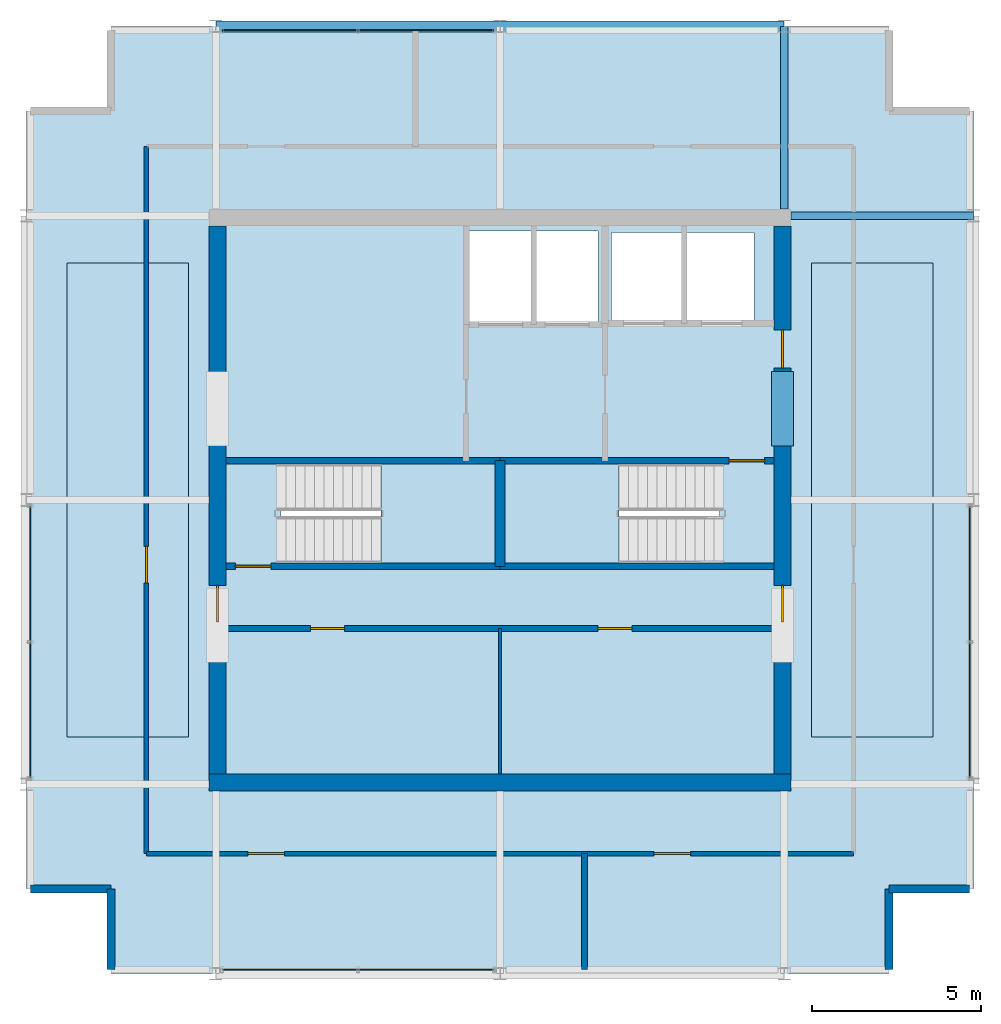
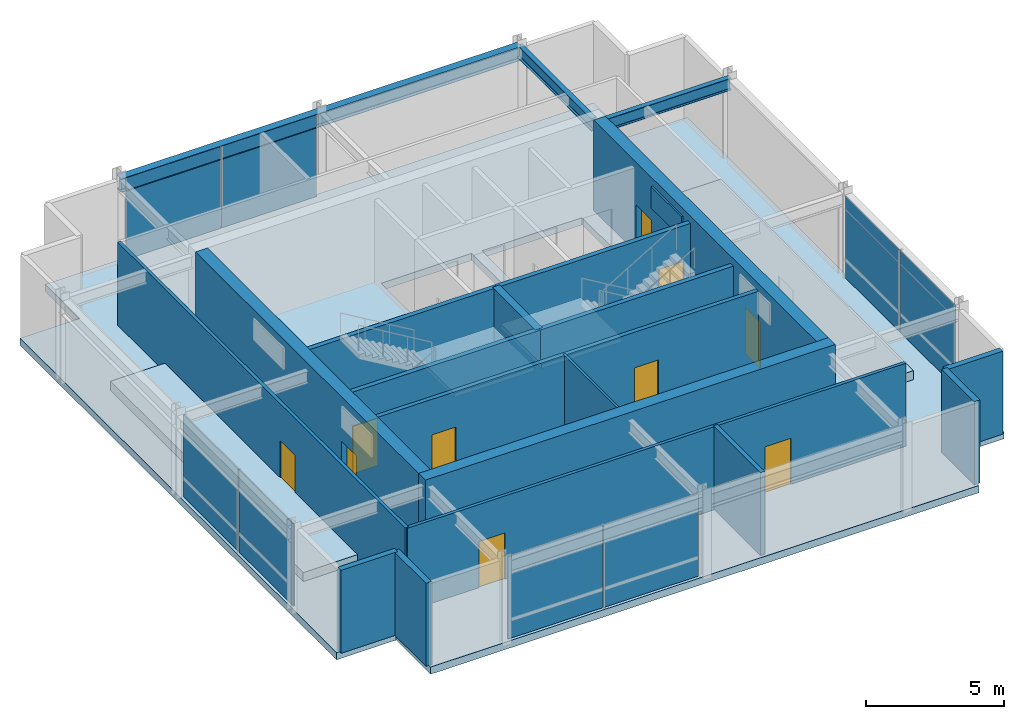
# One storey, part 9 of 12: 17 walls, 10 doors, 8 plates, 5 slabs, 4 beams, 10 openings, 6 elements without a shape of their own.
"""IFC4 building model written with IfcOpenShell, lengths in metres."""

from ifc_helpers import new_model, si_unit, direction, frame, frame_2d, origin, origin_2d, place, context, subcontext, project, spatial, polyline, rectangle, i_section, outline, extrude, material, layer, layer_set, material_profile, profile_set, type_object, element, fill, aggregate, save


model = new_model("IFC4")

# Units and contexts
model_context = context("Model", 3, precision=1e-05, world=origin(), true_north=direction((0.0, 1.0)))
body_context = subcontext(model_context, "Body", "Model", "MODEL_VIEW")
ifc_project = project(units=[si_unit("LENGTHUNIT", "METRE"), si_unit("AREAUNIT", "SQUARE_METRE"), si_unit("VOLUMEUNIT", "CUBIC_METRE"), si_unit("PLANEANGLEUNIT", "RADIAN"), si_unit("MASSUNIT", "GRAM", prefix="KILO")], contexts=[model_context])

# Site, building, storey
site_placement = place(None, origin())
site = spatial("IfcSite", under=ifc_project, at=site_placement, CompositionType="ELEMENT")
building_placement = place(site_placement, origin())
building = spatial("IfcBuilding", under=site, at=building_placement, Name="Drelvath Grand Hotel", CompositionType="ELEMENT")
storey_placement = place(building_placement, frame((0.0, 0.0, 315.39990234375)))
storey = spatial("IfcBuildingStorey", under=building, at=storey_placement, Name="L82", CompositionType="ELEMENT", Elevation=315.39990234375)

# Beams
ifc_material_1 = material(Name="Concrete f'c 55 MPa", Category="concrete")
ifc_material_profile_1 = material_profile(ifc_material_1, rectangle(XDim=0.64990234375, YDim=0.949951171875, at=origin_2d()), Name="CB650X950")
ifc_profile_set_1 = profile_set([ifc_material_profile_1], Name="Concrete f'c 55 MPa")
beam_type_1 = type_object("IfcBeamType", Name="Core Coupling Lintel CB650X950", PredefinedType="LINTEL", material=ifc_profile_set_1)
beam_1_placement = place(storey_placement, frame((8.35009765625, 28.60009765625, 3.205078125), z_axis=(0.0, 1.0, 0.0), x_axis=(-1.0, 0.0, 0.0)))
element("IfcBeam", 1, at=beam_1_placement, inside=storey, type_object=beam_type_1, Name="L82 Core Coupling Lintel EN", PredefinedType="LINTEL", context=body_context, shape_type="SweptSolid", body=[
    extrude(rectangle(XDim=0.64990234375, YDim=0.949951171875, at=origin_2d()), origin(), (0.0, 0.0, 1.0), 2.199951171875),
])
ifc_material_2 = material(Name="Steel ASTM A992 Gr 50", Category="steel")
ifc_material_profile_2 = material_profile(ifc_material_2, i_section(OverallWidth=0.210205078125, OverallDepth=0.53662109375, WebThickness=0.010986328125, FlangeThickness=0.017333984375, FilletRadius=0.01806640625, at=origin_2d()), Name="W21X68")
ifc_profile_set_2 = profile_set([ifc_material_profile_2], Name="Steel ASTM A992 Gr 50")
beam_type_2 = type_object("IfcBeamType", Name="Primary Floor Girder W21X68", PredefinedType="BEAM", material=ifc_profile_set_2)
for number, where, z_axis, x_axis, name in (
    (2, (8.60009765625, 35.39990234375, 3.41162109375), (1.0, 0.0, 0.0), (0.0, 1.0, 0.0), "L82 Crown Drum Tie East F"),
    (3, (8.39990234375, 35.60009765625, 3.41162109375), (0.0, 1.0, 0.0), (-1.0, 0.0, 0.0), "L82 Crown Drum Tie North 6"),
):
    element("IfcBeam", number, at=place(storey_placement, frame(where, z_axis=z_axis, x_axis=x_axis)), inside=storey, type_object=beam_type_2, Name=name, PredefinedType="BEAM", context=body_context, shape_type="SweptSolid", body=[
        extrude(i_section(OverallWidth=0.210205078125, OverallDepth=0.53662109375, WebThickness=0.010986328125, FlangeThickness=0.017333984375, FilletRadius=0.01806640625, at=origin_2d()), origin(), (0.0, 0.0, 1.0), 5.39990234375),
    ])
ifc_material_profile_3 = material_profile(ifc_material_2, i_section(OverallWidth=0.323974609375, OverallDepth=0.611083984375, WebThickness=0.0126953125, FlangeThickness=0.01904296875, FilletRadius=0.02197265625, at=origin_2d()), Name="W24X104")
ifc_profile_set_3 = profile_set([ifc_material_profile_3], Name="Steel ASTM A992 Gr 50")
beam_type_3 = type_object("IfcBeamType", Name="Primary Floor Girder W24X104", PredefinedType="BEAM", material=ifc_profile_set_3)
beam_2_placement = place(storey_placement, frame((-8.39990234375, 41.0, 3.37451171875), z_axis=(1.0, 0.0, 0.0), x_axis=(0.0, 1.0, 0.0)))
element("IfcBeam", 4, at=beam_2_placement, inside=storey, type_object=beam_type_3, Name="L82 Crown Drum Ring Beam North", PredefinedType="BEAM", context=body_context, shape_type="SweptSolid", body=[
    extrude(i_section(OverallWidth=0.323974609375, OverallDepth=0.611083984375, WebThickness=0.0126953125, FlangeThickness=0.01904296875, FilletRadius=0.02197265625, at=origin_2d()), origin(), (0.0, 0.0, 1.0), 16.7998046875),
])

# Slab
ifc_material_3 = material(Name="Concrete f'c 40 MPa", Category="concrete")
ifc_layer_1 = layer(ifc_material_3, 0.320068359375)
ifc_layer_set_1 = layer_set([ifc_layer_1], Name="Concrete f'c 40 MPa")
slab_type_1 = type_object("IfcSlabType", Name="Composite RC Floor Slab 320", PredefinedType="FLOOR", material=ifc_layer_set_1)
slab_1_placement = place(storey_placement, frame((0.0, 0.0, -0.31982421875)))
element("IfcSlab", 5, at=slab_1_placement, inside=storey, type_object=slab_type_1, Name="L82 Structural Floor Slab", PredefinedType="FLOOR", context=body_context, shape_type="SweptSolid", body=[
    extrude(outline(polyline([(-11.5, 13.0), (11.5, 13.0), (11.5, 15.5), (14.0, 15.5), (14.0, 38.5), (11.5, 38.5), (11.5, 41.0), (-11.5, 41.0), (-11.5, 38.5), (-14.0, 38.5), (-14.0, 15.5), (-11.5, 15.5), (-11.5, 13.0)]), holes=[polyline([(-6.47998046875, 25.1201171875), (-6.47998046875, 28.080078125), (-0.14990234375, 28.080078125), (-0.14990234375, 25.1201171875), (-6.47998046875, 25.1201171875)]), polyline([(0.14990234375, 25.1201171875), (0.14990234375, 28.080078125), (6.47998046875, 28.080078125), (6.47998046875, 25.1201171875), (0.14990234375, 25.1201171875)]), polyline([(-0.89990234375, 32.25), (-0.89990234375, 34.949951171875), (2.89990234375, 34.949951171875), (2.89990234375, 32.25), (-0.89990234375, 32.25)]), polyline([(3.300048828125, 32.300048828125), (3.300048828125, 34.89990234375), (7.5, 34.89990234375), (7.5, 32.300048828125), (3.300048828125, 32.300048828125)])]), origin(), (0.0, 0.0, 1.0), 0.31982421875),
])

# Stair, slab
ifc_material_4 = material(Name="Concrete C40/50", Category="concrete")
stair_type = type_object("IfcStairType", Name="Dogleg Exit Stair W1400-R166.7", PredefinedType="HALF_TURN_STAIR", material=ifc_material_4)
stair_1_placement = place(storey_placement, origin())
stair_1 = element("IfcStair", 6, at=stair_1_placement, inside=storey, type_object=stair_type, Name="L82 Core Exit Stair ST-1", PredefinedType="HALF_TURN_STAIR")
ifc_layer_2 = layer(ifc_material_4, 0.199951171875)
ifc_layer_set_2 = layer_set([ifc_layer_2], Name="Concrete C40/50")
slab_type_2 = type_object("IfcSlabType", Name="Concrete Stair Landing Slab 200", PredefinedType="LANDING", material=ifc_layer_set_2)
slab_2_placement = place(storey_placement, frame((0.0, 0.0, 1.800048828125)))
slab_2 = element("IfcSlab", 7, at=slab_2_placement, type_object=slab_type_2, Name="ST-1 landing 1", PredefinedType="LANDING", context=body_context, shape_type="SweptSolid", body=[
    extrude(outline(polyline([(-3.52001953125, 25.1201171875), (-0.14990234375, 25.1201171875), (-0.14990234375, 28.080078125), (-3.52001953125, 28.080078125), (-3.52001953125, 25.1201171875)])), origin(), (0.0, 0.0, 1.0), 0.199951171875),
])
aggregate(stair_1, [slab_2])

stair_2_placement = place(storey_placement, origin())
stair_2 = element("IfcStair", 8, at=stair_2_placement, inside=storey, type_object=stair_type, Name="L82 Core Exit Stair ST-2", PredefinedType="HALF_TURN_STAIR")
slab_3_placement = place(storey_placement, frame((0.0, 0.0, 1.800048828125)))
slab_3 = element("IfcSlab", 9, at=slab_3_placement, type_object=slab_type_2, Name="ST-2 landing 1", PredefinedType="LANDING", context=body_context, shape_type="SweptSolid", body=[
    extrude(outline(polyline([(3.52001953125, 28.080078125), (0.14990234375, 28.080078125), (0.14990234375, 25.1201171875), (3.52001953125, 25.1201171875), (3.52001953125, 28.080078125)])), origin(), (0.0, 0.0, 1.0), 0.199951171875),
])
aggregate(stair_2, [slab_3])

# Slabs
ifc_layer_3 = layer(ifc_material_3, 0.39990234375)
ifc_layer_set_3 = layer_set([ifc_layer_3], Name="Concrete f'c 40 MPa")
slab_type_3 = type_object("IfcSlabType", Name="Crown Mechanical Equipment Plinth 400", PredefinedType="FLOOR", material=ifc_layer_set_3)
slab_4_placement = place(storey_placement, origin())
element("IfcSlab", 10, at=slab_4_placement, inside=storey, type_object=slab_type_3, Name="L82 Crown Chiller and Transmitter Plant Plinth 1", PredefinedType="FLOOR", context=body_context, shape_type="SweptSolid", body=[
    extrude(outline(polyline([(-12.800048828125, 20.0), (-9.199951171875, 20.0), (-9.199951171875, 34.0), (-12.800048828125, 34.0), (-12.800048828125, 20.0)])), origin(), (0.0, 0.0, 1.0), 0.400146484375),
])
slab_5_placement = place(storey_placement, origin())
element("IfcSlab", 11, at=slab_5_placement, inside=storey, type_object=slab_type_3, Name="L82 Crown Chiller and Transmitter Plant Plinth 2", PredefinedType="FLOOR", context=body_context, shape_type="SweptSolid", body=[
    extrude(outline(polyline([(9.199951171875, 20.0), (12.800048828125, 20.0), (12.800048828125, 34.0), (9.199951171875, 34.0), (9.199951171875, 20.0)])), origin(), (0.0, 0.0, 1.0), 0.400146484375),
])

# Curtain wall, plates
ifc_material_5 = material(Name="Pale-Metal Anodised Aluminium Crown Frame", Category="aluminium")
ifc_layer_4 = layer(ifc_material_5, 0.199951171875)
ifc_layer_set_4 = layer_set([ifc_layer_4], Name="Pale-Metal Anodised Aluminium Crown Frame")
curtain_wall_type = type_object("IfcCurtainWallType", Name="Stick Curtain Wall CW-06 Pale-Metal Crown Clerestory", PredefinedType="NOTDEFINED", material=ifc_layer_set_4)
curtain_wall_1_placement = place(storey_placement, origin())
curtain_wall_1 = element("IfcCurtainWall", 12, at=curtain_wall_1_placement, inside=storey, type_object=curtain_wall_type, Name="L82 CW-06 Curtain Wall CW06-L82-W", PredefinedType="NOTDEFINED")
ifc_material_6 = material(Name="Insulated Spandrel Laminated Crown Glass", Category="glass")
ifc_layer_5 = layer(ifc_material_6, 0.035888671875)
ifc_layer_set_5 = layer_set([ifc_layer_5], Name="Insulated Spandrel Laminated Crown Glass")
plate_type = type_object("IfcPlateType", Name="Curtain Wall Vision Panel CW-06 36mm", PredefinedType="CURTAIN_PANEL", material=ifc_layer_set_5)
plate_1_placement = place(storey_placement, frame((-13.8798828125, 20.791015625, 0.02001953125), z_axis=(0.0, 0.0, 1.0), x_axis=(0.0, 1.0, 0.0)))
plate_1 = element("IfcPlate", 13, at=plate_1_placement, type_object=plate_type, Name="CW06-L82-W Glazed Panel 1", PredefinedType="CURTAIN_PANEL", context=body_context, shape_type="SweptSolid", body=[
    extrude(rectangle(XDim=3.977783203125, YDim=0.035888671875, at=origin_2d()), origin(), (0.0, 0.0, 1.0), 3.639892578125),
])
plate_2_placement = place(storey_placement, frame((-13.8798828125, 24.808837890625, 0.02001953125), z_axis=(0.0, 0.0, 1.0), x_axis=(0.0, 1.0, 0.0)))
plate_2 = element("IfcPlate", 14, at=plate_2_placement, type_object=plate_type, Name="CW06-L82-W Glazed Panel 2", PredefinedType="CURTAIN_PANEL", context=body_context, shape_type="SweptSolid", body=[
    extrude(rectangle(XDim=3.977783203125, YDim=0.035888671875, at=origin_2d()), origin(), (0.0, 0.0, 1.0), 3.639892578125),
])
aggregate(curtain_wall_1, [plate_1, plate_2])

curtain_wall_2_placement = place(storey_placement, origin())
curtain_wall_2 = element("IfcCurtainWall", 15, at=curtain_wall_2_placement, inside=storey, type_object=curtain_wall_type, Name="L82 CW-06 Curtain Wall CW06-L82-E", PredefinedType="NOTDEFINED")
plate_3_placement = place(storey_placement, frame((13.8798828125, 24.808837890625, 0.02001953125), z_axis=(0.0, 0.0, 1.0), x_axis=(0.0, -1.0, 0.0)))
plate_3 = element("IfcPlate", 16, at=plate_3_placement, type_object=plate_type, Name="CW06-L82-E Glazed Panel 1", PredefinedType="CURTAIN_PANEL", context=body_context, shape_type="SweptSolid", body=[
    extrude(rectangle(XDim=3.977783203125, YDim=0.035888671875, at=origin_2d()), origin(), (0.0, 0.0, 1.0), 3.639892578125),
])
plate_4_placement = place(storey_placement, frame((13.8798828125, 20.791015625, 0.02001953125), z_axis=(0.0, 0.0, 1.0), x_axis=(0.0, -1.0, 0.0)))
plate_4 = element("IfcPlate", 17, at=plate_4_placement, type_object=plate_type, Name="CW06-L82-E Glazed Panel 2", PredefinedType="CURTAIN_PANEL", context=body_context, shape_type="SweptSolid", body=[
    extrude(rectangle(XDim=3.977783203125, YDim=0.035888671875, at=origin_2d()), origin(), (0.0, 0.0, 1.0), 3.639892578125),
])
aggregate(curtain_wall_2, [plate_3, plate_4])

curtain_wall_3_placement = place(storey_placement, origin())
curtain_wall_3 = element("IfcCurtainWall", 18, at=curtain_wall_3_placement, inside=storey, type_object=curtain_wall_type, Name="L82 CW-06 Curtain Wall CW06-L82-N", PredefinedType="NOTDEFINED")
plate_5_placement = place(storey_placement, frame((-6.20849609375, 40.8798828125, 0.02001953125), z_axis=(0.0, 0.0, 1.0), x_axis=(1.0, 0.0, 0.0)))
plate_5 = element("IfcPlate", 19, at=plate_5_placement, type_object=plate_type, Name="CW06-L82-N Glazed Panel 1", PredefinedType="CURTAIN_PANEL", context=body_context, shape_type="SweptSolid", body=[
    extrude(rectangle(XDim=3.97705078125, YDim=0.035888671875, at=origin_2d()), origin(), (0.0, 0.0, 1.0), 3.639892578125),
])
plate_6_placement = place(storey_placement, frame((-2.19140625, 40.8798828125, 0.02001953125), z_axis=(0.0, 0.0, 1.0), x_axis=(1.0, 0.0, 0.0)))
plate_6 = element("IfcPlate", 20, at=plate_6_placement, type_object=plate_type, Name="CW06-L82-N Glazed Panel 2", PredefinedType="CURTAIN_PANEL", context=body_context, shape_type="SweptSolid", body=[
    extrude(rectangle(XDim=3.97705078125, YDim=0.035888671875, at=origin_2d()), origin(), (0.0, 0.0, 1.0), 3.639892578125),
])
aggregate(curtain_wall_3, [plate_5, plate_6])

curtain_wall_4_placement = place(storey_placement, origin())
curtain_wall_4 = element("IfcCurtainWall", 21, at=curtain_wall_4_placement, inside=storey, type_object=curtain_wall_type, Name="L82 CW-06 Curtain Wall CW06-L82-S", PredefinedType="NOTDEFINED")
plate_7_placement = place(storey_placement, frame((-2.19140625, 13.1201171875, 0.02001953125), z_axis=(0.0, 0.0, 1.0), x_axis=(-1.0, 0.0, 0.0)))
plate_7 = element("IfcPlate", 22, at=plate_7_placement, type_object=plate_type, Name="CW06-L82-S Glazed Panel 1", PredefinedType="CURTAIN_PANEL", context=body_context, shape_type="SweptSolid", body=[
    extrude(rectangle(XDim=3.97705078125, YDim=0.035888671875, at=origin_2d()), origin(), (0.0, 0.0, 1.0), 3.639892578125),
])
plate_8_placement = place(storey_placement, frame((-6.20849609375, 13.1201171875, 0.02001953125), z_axis=(0.0, 0.0, 1.0), x_axis=(-1.0, 0.0, 0.0)))
plate_8 = element("IfcPlate", 23, at=plate_8_placement, type_object=plate_type, Name="CW06-L82-S Glazed Panel 2", PredefinedType="CURTAIN_PANEL", context=body_context, shape_type="SweptSolid", body=[
    extrude(rectangle(XDim=3.97705078125, YDim=0.035888671875, at=origin_2d()), origin(), (0.0, 0.0, 1.0), 3.639892578125),
])
aggregate(curtain_wall_4, [plate_7, plate_8])

# Wall
ifc_material_7 = material(Name="Gypsum Partition Board")
ifc_layer_6 = layer(ifc_material_7, 0.10009765625)
ifc_layer_set_6 = layer_set([ifc_layer_6], Name="Gypsum Partition Board")
wall_type_1 = type_object("IfcWallType", Name="Core Closet Partition 100", PredefinedType="PARTITIONING", material=ifc_layer_set_6)
wall_1_placement = place(storey_placement, frame((0.0, 18.89990234375, 0.0), z_axis=(0.0, 0.0, 1.0), x_axis=(0.0, 1.0, 0.0)))
element("IfcWall", 24, at=wall_1_placement, inside=storey, type_object=wall_type_1, Name="L82 Crown Core Split", PredefinedType="PARTITIONING", context=body_context, shape_type="SweptSolid", body=[
    extrude(rectangle(XDim=4.300048828125, YDim=0.10009765625, at=frame_2d((2.14990234375, 0.0))), origin(), (0.0, 0.0, 1.0), 3.68017578125),
])

# Wall, opening, door
ifc_layer_7 = layer(ifc_material_4, 0.199951171875)
ifc_layer_set_7 = layer_set([ifc_layer_7], Name="Concrete C40/50")
wall_type_2 = type_object("IfcWallType", Name="Core Shaft Fire Wall 200", PredefinedType="SOLIDWALL", material=ifc_layer_set_7)
wall_2_placement = place(storey_placement, frame((-8.10009765625, 25.0400390625, 0.0), z_axis=(0.0, 0.0, 1.0), x_axis=(1.0, 0.0, 0.0)))
wall_2 = element("IfcWall", 25, at=wall_2_placement, inside=storey, type_object=wall_type_2, Name="L82 Stair ST-1 South Wall", PredefinedType="SOLIDWALL", context=body_context, shape_type="SweptSolid", body=[
    extrude(rectangle(XDim=8.10009765625, YDim=0.199951171875, at=frame_2d((4.050048828125, 0.0))), origin(), (0.0, 0.0, 1.0), 3.68017578125),
])
opening_1_placement = place(wall_2_placement, frame((0.280029296875, 0.0, 0.0)))
opening_1 = element("IfcOpeningElement", 26, at=opening_1_placement, cuts=wall_2, Name="Opening D-L82-001", PredefinedType="OPENING", context=body_context, shape_type="SweptSolid", body=[
    extrude(rectangle(XDim=1.050048828125, YDim=2.10009765625, at=frame_2d((0.52490234375, 1.050048828125))), frame((0.0, 0.10986328125, 0.0), z_axis=(0.0, -1.0, 0.0), x_axis=(1.0, 0.0, 0.0)), (0.0, 0.0, 1.0), 0.219970703125),
])
ifc_material_8 = material(Name="Painted Steel S275", Category="steel")
door_type_1 = type_object("IfcDoorType", Name="Tower Stairwell Fire Door 1050x2100", OperationType="NOTDEFINED", PredefinedType="DOOR", material=ifc_material_8)
door_1_placement = place(opening_1_placement, origin())
door_1 = element("IfcDoor", 27, at=door_1_placement, inside=storey, type_object=door_type_1, Name="L82 Exit Stair ST-1 Door", OperationType="SINGLE_SWING_LEFT", OverallHeight=2.10009765625, OverallWidth=1.050048828125, PredefinedType="DOOR", context=body_context, shape_type="SweptSolid", body=[
    extrude(rectangle(XDim=1.050048828125, YDim=2.10009765625, at=frame_2d((0.52490234375, 1.050048828125))), frame((0.0, 0.02490234375, 0.0), z_axis=(0.0, -1.0, 0.0), x_axis=(1.0, 0.0, 0.0)), (0.0, 0.0, 1.0), 0.050048828125),
])
fill(opening_1, door_1)

# Walls
for number, where, z_axis, x_axis, name in (
    (28, (-8.10009765625, 28.159912109375, 0.0), (0.0, 0.0, 1.0), (1.0, 0.0, 0.0), "L82 Stair ST-1 North Wall"),
    (29, (0.0, 25.0400390625, 0.0), (0.0, 0.0, 1.0), (1.0, 0.0, 0.0), "L82 Stair ST-2 South Wall"),
):
    element("IfcWall", number, at=place(storey_placement, frame(where, z_axis=z_axis, x_axis=x_axis)), inside=storey, type_object=wall_type_2, Name=name, PredefinedType="SOLIDWALL", context=body_context, shape_type="SweptSolid", body=[
        extrude(rectangle(XDim=8.10009765625, YDim=0.199951171875, at=frame_2d((4.050048828125, 0.0))), origin(), (0.0, 0.0, 1.0), 3.68017578125),
    ])

# Wall, opening, door
wall_3_placement = place(storey_placement, frame((8.10009765625, 28.159912109375, 0.0), z_axis=(0.0, 0.0, 1.0), x_axis=(-1.0, 0.0, 0.0)))
wall_3 = element("IfcWall", 30, at=wall_3_placement, inside=storey, type_object=wall_type_2, Name="L82 Stair ST-2 North Wall", PredefinedType="SOLIDWALL", context=body_context, shape_type="SweptSolid", body=[
    extrude(rectangle(XDim=8.10009765625, YDim=0.199951171875, at=frame_2d((4.050048828125, 0.0))), origin(), (0.0, 0.0, 1.0), 3.68017578125),
])
opening_2_placement = place(wall_3_placement, frame((0.280029296875, 0.0, 0.0)))
opening_2 = element("IfcOpeningElement", 31, at=opening_2_placement, cuts=wall_3, Name="Opening D-L82-002", PredefinedType="OPENING", context=body_context, shape_type="SweptSolid", body=[
    extrude(rectangle(XDim=1.050048828125, YDim=2.10009765625, at=frame_2d((0.52490234375, 1.050048828125))), frame((0.0, 0.10986328125, 0.0), z_axis=(0.0, -1.0, 0.0), x_axis=(1.0, 0.0, 0.0)), (0.0, 0.0, 1.0), 0.219970703125),
])
door_2_placement = place(opening_2_placement, origin())
door_2 = element("IfcDoor", 32, at=door_2_placement, inside=storey, type_object=door_type_1, Name="L82 Exit Stair ST-2 Door", OperationType="SINGLE_SWING_LEFT", OverallHeight=2.10009765625, OverallWidth=1.050048828125, PredefinedType="DOOR", context=body_context, shape_type="SweptSolid", body=[
    extrude(rectangle(XDim=1.050048828125, YDim=2.10009765625, at=frame_2d((0.52490234375, 1.050048828125))), frame((0.0, 0.02490234375, 0.0), z_axis=(0.0, -1.0, 0.0), x_axis=(1.0, 0.0, 0.0)), (0.0, 0.0, 1.0), 0.050048828125),
])
fill(opening_2, door_2)

# Wall
ifc_layer_8 = layer(ifc_material_4, 0.300048828125)
ifc_layer_set_8 = layer_set([ifc_layer_8], Name="Concrete C40/50")
wall_type_3 = type_object("IfcWallType", Name="Core Shaft Fire Wall 300", PredefinedType="SOLIDWALL", material=ifc_layer_set_8)
wall_4_placement = place(storey_placement, frame((0.0, 25.0400390625, 0.0), z_axis=(0.0, 0.0, 1.0), x_axis=(0.0, 1.0, 0.0)))
element("IfcWall", 33, at=wall_4_placement, inside=storey, type_object=wall_type_3, Name="L82 Core Stair Divider Wall", PredefinedType="SOLIDWALL", context=body_context, shape_type="SweptSolid", body=[
    extrude(rectangle(XDim=3.119873046875, YDim=0.300048828125, at=frame_2d((1.56005859375, 0.0))), origin(), (0.0, 0.0, 1.0), 3.68017578125),
])

# Wall, openings, doors
ifc_material_9 = material(Name="Gypsum Fireboard Partition")
ifc_layer_9 = layer(ifc_material_9, 0.135009765625)
ifc_layer_set_9 = layer_set([ifc_layer_9], Name="Gypsum Fireboard Partition")
wall_type_4 = type_object("IfcWallType", Name="Corridor Fire Barrier Wall 135", PredefinedType="PARTITIONING", material=ifc_layer_set_9)
wall_5_placement = place(storey_placement, frame((-10.449951171875, 16.550048828125, 0.0), z_axis=(0.0, 0.0, 1.0), x_axis=(1.0, 0.0, 0.0)))
wall_5 = element("IfcWall", 34, at=wall_5_placement, inside=storey, type_object=wall_type_4, Name="L82 Crown South Corridor Wall", PredefinedType="PARTITIONING", context=body_context, shape_type="SweptSolid", body=[
    extrude(rectangle(XDim=20.89990234375, YDim=0.135009765625, at=frame_2d((10.449951171875, 0.0))), origin(), (0.0, 0.0, 1.0), 3.68017578125),
])
opening_3_placement = place(wall_5_placement, frame((3.0, 0.0, 0.0)))
opening_3 = element("IfcOpeningElement", 35, at=opening_3_placement, cuts=wall_5, Name="Opening D-L82-014", PredefinedType="OPENING", context=body_context, shape_type="SweptSolid", body=[
    extrude(rectangle(XDim=1.080078125, YDim=2.0400390625, at=frame_2d((0.5400390625, 1.02001953125))), frame((0.0, 0.077392578125, 0.0), z_axis=(0.0, -1.0, 0.0), x_axis=(1.0, 0.0, 0.0)), (0.0, 0.0, 1.0), 0.155029296875),
])
opening_4_placement = place(wall_5_placement, frame((15.0, 0.0, 0.0)))
opening_4 = element("IfcOpeningElement", 36, at=opening_4_placement, cuts=wall_5, Name="Opening D-L82-015", PredefinedType="OPENING", context=body_context, shape_type="SweptSolid", body=[
    extrude(rectangle(XDim=1.080078125, YDim=2.0400390625, at=frame_2d((0.5400390625, 1.02001953125))), frame((0.0, 0.077392578125, 0.0), z_axis=(0.0, -1.0, 0.0), x_axis=(1.0, 0.0, 0.0)), (0.0, 0.0, 1.0), 0.155029296875),
])
door_type_2 = type_object("IfcDoorType", Name="Core Corridor Fire Door 1080x2100", OperationType="NOTDEFINED", PredefinedType="DOOR", material=ifc_material_8)
door_3_placement = place(opening_3_placement, origin())
door_3 = element("IfcDoor", 37, at=door_3_placement, inside=storey, type_object=door_type_2, Name="L82 Cooling Plant Door", OperationType="SINGLE_SWING_RIGHT", OverallHeight=2.0400390625, OverallWidth=1.080078125, PredefinedType="DOOR", context=body_context, shape_type="SweptSolid", body=[
    extrude(rectangle(XDim=1.080078125, YDim=2.0400390625, at=frame_2d((0.5400390625, 1.02001953125))), frame((0.0, 0.02490234375, 0.0), z_axis=(0.0, -1.0, 0.0), x_axis=(1.0, 0.0, 0.0)), (0.0, 0.0, 1.0), 0.050048828125),
])
fill(opening_3, door_3)
door_4_placement = place(opening_4_placement, origin())
door_4 = element("IfcDoor", 38, at=door_4_placement, inside=storey, type_object=door_type_2, Name="L82 Fire Pump Plant Door", OperationType="SINGLE_SWING_LEFT", OverallHeight=2.0400390625, OverallWidth=1.080078125, PredefinedType="DOOR", context=body_context, shape_type="SweptSolid", body=[
    extrude(rectangle(XDim=1.080078125, YDim=2.0400390625, at=frame_2d((0.5400390625, 1.02001953125))), frame((0.0, 0.02490234375, 0.0), z_axis=(0.0, -1.0, 0.0), x_axis=(1.0, 0.0, 0.0)), (0.0, 0.0, 1.0), 0.050048828125),
])
fill(opening_4, door_4)

# Wall, opening, door
wall_6_placement = place(storey_placement, frame((-10.449951171875, 16.550048828125, 0.0), z_axis=(0.0, 0.0, 1.0), x_axis=(0.0, 1.0, 0.0)))
wall_6 = element("IfcWall", 39, at=wall_6_placement, inside=storey, type_object=wall_type_4, Name="L82 Crown West Corridor Wall", PredefinedType="PARTITIONING", context=body_context, shape_type="SweptSolid", body=[
    extrude(rectangle(XDim=20.89990234375, YDim=0.135009765625, at=frame_2d((10.449951171875, 0.0))), origin(), (0.0, 0.0, 1.0), 3.68017578125),
])
opening_5_placement = place(wall_6_placement, frame((8.0, 0.0, 0.0)))
opening_5 = element("IfcOpeningElement", 40, at=opening_5_placement, cuts=wall_6, Name="Opening D-L82-018", PredefinedType="OPENING", context=body_context, shape_type="SweptSolid", body=[
    extrude(rectangle(XDim=1.080078125, YDim=2.0400390625, at=frame_2d((0.5400390625, 1.02001953125))), frame((0.0, 0.077392578125, 0.0), z_axis=(0.0, -1.0, 0.0), x_axis=(1.0, 0.0, 0.0)), (0.0, 0.0, 1.0), 0.155029296875),
])
door_5_placement = place(opening_5_placement, origin())
door_5 = element("IfcDoor", 41, at=door_5_placement, inside=storey, type_object=door_type_2, Name="L82 Drive Plant Door", OperationType="SINGLE_SWING_RIGHT", OverallHeight=2.0400390625, OverallWidth=1.080078125, PredefinedType="DOOR", context=body_context, shape_type="SweptSolid", body=[
    extrude(rectangle(XDim=1.080078125, YDim=2.0400390625, at=frame_2d((0.5400390625, 1.02001953125))), frame((0.0, 0.02490234375, 0.0), z_axis=(0.0, -1.0, 0.0), x_axis=(1.0, 0.0, 0.0)), (0.0, 0.0, 1.0), 0.050048828125),
])
fill(opening_5, door_5)

# Wall, openings, doors
ifc_layer_10 = layer(ifc_material_9, 0.179931640625)
ifc_layer_set_10 = layer_set([ifc_layer_10], Name="Gypsum Fireboard Partition")
wall_type_5 = type_object("IfcWallType", Name="FSAE Smoke Lobby Fire Wall 180", PredefinedType="SOLIDWALL", material=ifc_layer_set_10)
wall_7_placement = place(storey_placement, frame((-8.10009765625, 23.199951171875, 0.0), z_axis=(0.0, 0.0, 1.0), x_axis=(1.0, 0.0, 0.0)))
wall_7 = element("IfcWall", 42, at=wall_7_placement, inside=storey, type_object=wall_type_5, Name="L82 Upper Reclaimed Core Wall", PredefinedType="SOLIDWALL", context=body_context, shape_type="SweptSolid", body=[
    extrude(rectangle(XDim=16.2001953125, YDim=0.179931640625, at=frame_2d((8.10009765625, 0.0))), origin(), (0.0, 0.0, 1.0), 3.68017578125),
])
opening_6_placement = place(wall_7_placement, frame((2.5, 0.0, 0.0)))
opening_6 = element("IfcOpeningElement", 43, at=opening_6_placement, cuts=wall_7, Name="Opening D-L82-012", PredefinedType="OPENING", context=body_context, shape_type="SweptSolid", body=[
    extrude(rectangle(XDim=1.0, YDim=2.10009765625, at=frame_2d((0.5, 1.050048828125))), frame((0.0, 0.099853515625, 0.0), z_axis=(0.0, -1.0, 0.0), x_axis=(1.0, 0.0, 0.0)), (0.0, 0.0, 1.0), 0.199951171875),
])
opening_7_placement = place(wall_7_placement, frame((11.0, 0.0, 0.0)))
opening_7 = element("IfcOpeningElement", 44, at=opening_7_placement, cuts=wall_7, Name="Opening D-L82-013", PredefinedType="OPENING", context=body_context, shape_type="SweptSolid", body=[
    extrude(rectangle(XDim=1.0, YDim=2.10009765625, at=frame_2d((0.5, 1.050048828125))), frame((0.0, 0.099853515625, 0.0), z_axis=(0.0, -1.0, 0.0), x_axis=(1.0, 0.0, 0.0)), (0.0, 0.0, 1.0), 0.199951171875),
])
door_type_3 = type_object("IfcDoorType", Name="Core Service Fire Door 1000x2100", OperationType="NOTDEFINED", PredefinedType="DOOR", material=ifc_material_8)
door_6_placement = place(opening_6_placement, origin())
door_6 = element("IfcDoor", 45, at=door_6_placement, inside=storey, type_object=door_type_3, Name="L82 Switchroom Door", OperationType="SINGLE_SWING_RIGHT", OverallHeight=2.10009765625, OverallWidth=1.0, PredefinedType="DOOR", context=body_context, shape_type="SweptSolid", body=[
    extrude(rectangle(XDim=1.0, YDim=2.10009765625, at=frame_2d((0.5, 1.050048828125))), frame((0.0, 0.02490234375, 0.0), z_axis=(0.0, -1.0, 0.0), x_axis=(1.0, 0.0, 0.0)), (0.0, 0.0, 1.0), 0.050048828125),
])
fill(opening_6, door_6)
door_7_placement = place(opening_7_placement, origin())
door_7 = element("IfcDoor", 46, at=door_7_placement, inside=storey, type_object=door_type_3, Name="L82 UPS Room Door", OperationType="SINGLE_SWING_LEFT", OverallHeight=2.10009765625, OverallWidth=1.0, PredefinedType="DOOR", context=body_context, shape_type="SweptSolid", body=[
    extrude(rectangle(XDim=1.0, YDim=2.10009765625, at=frame_2d((0.5, 1.050048828125))), frame((0.0, 0.02490234375, 0.0), z_axis=(0.0, -1.0, 0.0), x_axis=(1.0, 0.0, 0.0)), (0.0, 0.0, 1.0), 0.050048828125),
])
fill(opening_7, door_7)

# Walls
wall_8_placement = place(storey_placement, frame((2.5, 13.1201171875, 0.0), z_axis=(0.0, 0.0, 1.0), x_axis=(0.0, 1.0, 0.0)))
element("IfcWall", 47, at=wall_8_placement, inside=storey, type_object=wall_type_5, Name="L82 Crown South Split", PredefinedType="SOLIDWALL", context=body_context, shape_type="SweptSolid", body=[
    extrude(rectangle(XDim=3.429931640625, YDim=0.179931640625, at=frame_2d((1.71484375, 0.0))), origin(), (0.0, 0.0, 1.0), 3.68017578125),
])
ifc_material_10 = material(Name="Pale-Metal Insulated Aluminium Spandrel Assembly", Category="aluminium")
ifc_layer_11 = layer(ifc_material_10, 0.239990234375)
ifc_layer_set_11 = layer_set([ifc_layer_11], Name="Pale-Metal Insulated Aluminium Spandrel Assembly")
wall_type_6 = type_object("IfcWallType", Name="Tower Insulated Metal Spandrel Closure Wall 240", PredefinedType="STANDARD", material=ifc_layer_set_11)
for number, where, z_axis, x_axis, name in (
    (48, (-11.5, 13.1201171875, 0.0), (0.0, 0.0, 1.0), (0.0, 1.0, 0.0), "L82 Crown Drum Corner Wall CSW1"),
    (49, (-11.5, 15.5, 0.0), (0.0, 0.0, 1.0), (-1.0, 0.0, 0.0), "L82 Crown Drum Corner Wall CSW2"),
    (50, (13.8798828125, 15.5, 0.0), (0.0, 0.0, 1.0), (-1.0, 0.0, 0.0), "L82 Crown Drum Corner Wall CSE1"),
    (51, (11.5, 15.5, 0.0), (0.0, 0.0, 1.0), (0.0, -1.0, 0.0), "L82 Crown Drum Corner Wall CSE2"),
):
    element("IfcWall", number, at=place(storey_placement, frame(where, z_axis=z_axis, x_axis=x_axis)), inside=storey, type_object=wall_type_6, Name=name, PredefinedType="STANDARD", context=body_context, shape_type="SweptSolid", body=[
        extrude(rectangle(XDim=2.3798828125, YDim=0.239990234375, at=frame_2d((1.18994140625, 0.0))), origin(), (0.0, 0.0, 1.0), 3.68017578125),
    ])

# Wall, openings, doors
ifc_layer_12 = layer(ifc_material_1, 0.5)
ifc_layer_set_12 = layer_set([ifc_layer_12], Name="Concrete f'c 55 MPa")
wall_type_7 = type_object("IfcWallType", Name="Upper Core RC Shear Wall 500", PredefinedType="SHEAR", material=ifc_layer_set_12)
wall_9_placement = place(storey_placement, frame((8.35009765625, 35.10009765625, 0.0), z_axis=(0.0, 0.0, 1.0), x_axis=(0.0, -1.0, 0.0)))
wall_9 = element("IfcWall", 52, at=wall_9_placement, inside=storey, type_object=wall_type_7, Name="L82 Central Core Shear Wall E", PredefinedType="SHEAR", context=body_context, shape_type="SweptSolid", body=[
    extrude(rectangle(XDim=16.2001953125, YDim=0.5, at=frame_2d((8.10009765625, 0.0))), origin(), (0.0, 0.0, 1.0), 4.0),
])
opening_8_placement = place(wall_9_placement, frame((3.080078125, 0.0, 0.0)))
opening_8 = element("IfcOpeningElement", 53, at=opening_8_placement, cuts=wall_9, Name="Opening D-L82-006", PredefinedType="OPENING", context=body_context, shape_type="SweptSolid", body=[
    extrude(rectangle(XDim=1.1201171875, YDim=2.10009765625, at=frame_2d((0.56005859375, 1.050048828125))), frame((0.0, 0.260009765625, 0.0), z_axis=(0.0, -1.0, 0.0), x_axis=(1.0, 0.0, 0.0)), (0.0, 0.0, 1.0), 0.52001953125),
])
opening_9_placement = place(wall_9_placement, frame((10.6201171875, 0.0, 0.0)))
opening_9 = element("IfcOpeningElement", 54, at=opening_9_placement, cuts=wall_9, Name="Opening D-L82-011", PredefinedType="OPENING", context=body_context, shape_type="SweptSolid", body=[
    extrude(rectangle(XDim=1.080078125, YDim=2.0400390625, at=frame_2d((0.5400390625, 1.02001953125))), frame((0.0, 0.260009765625, 0.0), z_axis=(0.0, -1.0, 0.0), x_axis=(1.0, 0.0, 0.0)), (0.0, 0.0, 1.0), 0.52001953125),
])
door_8_placement = place(opening_9_placement, origin())
door_8 = element("IfcDoor", 55, at=door_8_placement, inside=storey, type_object=door_type_2, Name="L82 Core Passage East Door", OperationType="SINGLE_SWING_LEFT", OverallHeight=2.0400390625, OverallWidth=1.080078125, PredefinedType="DOOR", context=body_context, shape_type="SweptSolid", body=[
    extrude(rectangle(XDim=1.080078125, YDim=2.0400390625, at=frame_2d((0.5400390625, 1.02001953125))), frame((0.0, 0.02490234375, 0.0), z_axis=(0.0, -1.0, 0.0), x_axis=(1.0, 0.0, 0.0)), (0.0, 0.0, 1.0), 0.050048828125),
])
fill(opening_9, door_8)
door_type_4 = type_object("IfcDoorType", Name="FSAE Smoke Lobby Fire Door 1120x2100", OperationType="NOTDEFINED", PredefinedType="DOOR", material=ifc_material_8)
door_9_placement = place(opening_8_placement, origin())
door_9 = element("IfcDoor", 56, at=door_9_placement, inside=storey, type_object=door_type_4, Name="L82 FSAE Lobby East Corridor Door", OperationType="SINGLE_SWING_LEFT", OverallHeight=2.10009765625, OverallWidth=1.1201171875, PredefinedType="DOOR", context=body_context, shape_type="SweptSolid", body=[
    extrude(rectangle(XDim=1.1201171875, YDim=2.10009765625, at=frame_2d((0.56005859375, 1.050048828125))), frame((0.0, 0.02490234375, 0.0), z_axis=(0.0, -1.0, 0.0), x_axis=(1.0, 0.0, 0.0)), (0.0, 0.0, 1.0), 0.050048828125),
])
fill(opening_8, door_9)

# Wall
wall_10_placement = place(storey_placement, frame((8.60009765625, 18.64990234375, 0.0), z_axis=(0.0, 0.0, 1.0), x_axis=(-1.0, 0.0, 0.0)))
element("IfcWall", 57, at=wall_10_placement, inside=storey, type_object=wall_type_7, Name="L82 Central Core Shear Wall S", PredefinedType="SHEAR", context=body_context, shape_type="SweptSolid", body=[
    extrude(rectangle(XDim=17.2001953125, YDim=0.5, at=frame_2d((8.60009765625, 0.0))), origin(), (0.0, 0.0, 1.0), 4.0),
])

# Wall, opening, door
wall_11_placement = place(storey_placement, frame((-8.35009765625, 18.89990234375, 0.0), z_axis=(0.0, 0.0, 1.0), x_axis=(0.0, 1.0, 0.0)))
wall_11 = element("IfcWall", 58, at=wall_11_placement, inside=storey, type_object=wall_type_7, Name="L82 Central Core Shear Wall W", PredefinedType="SHEAR", context=body_context, shape_type="SweptSolid", body=[
    extrude(rectangle(XDim=16.2001953125, YDim=0.5, at=frame_2d((8.10009765625, 0.0))), origin(), (0.0, 0.0, 1.0), 4.0),
])
opening_10_placement = place(wall_11_placement, frame((4.5, 0.0, 0.0)))
opening_10 = element("IfcOpeningElement", 59, at=opening_10_placement, cuts=wall_11, Name="Opening D-L82-010", PredefinedType="OPENING", context=body_context, shape_type="SweptSolid", body=[
    extrude(rectangle(XDim=1.080078125, YDim=2.0400390625, at=frame_2d((0.5400390625, 1.02001953125))), frame((0.0, 0.260009765625, 0.0), z_axis=(0.0, -1.0, 0.0), x_axis=(1.0, 0.0, 0.0)), (0.0, 0.0, 1.0), 0.52001953125),
])
door_10_placement = place(opening_10_placement, origin())
door_10 = element("IfcDoor", 60, at=door_10_placement, inside=storey, type_object=door_type_2, Name="L82 Core Passage West Door", OperationType="SINGLE_SWING_RIGHT", OverallHeight=2.0400390625, OverallWidth=1.080078125, PredefinedType="DOOR", context=body_context, shape_type="SweptSolid", body=[
    extrude(rectangle(XDim=1.080078125, YDim=2.0400390625, at=frame_2d((0.5400390625, 1.02001953125))), frame((0.0, 0.02490234375, 0.0), z_axis=(0.0, -1.0, 0.0), x_axis=(1.0, 0.0, 0.0)), (0.0, 0.0, 1.0), 0.050048828125),
])
fill(opening_10, door_10)

save(model, "model.ifc")
